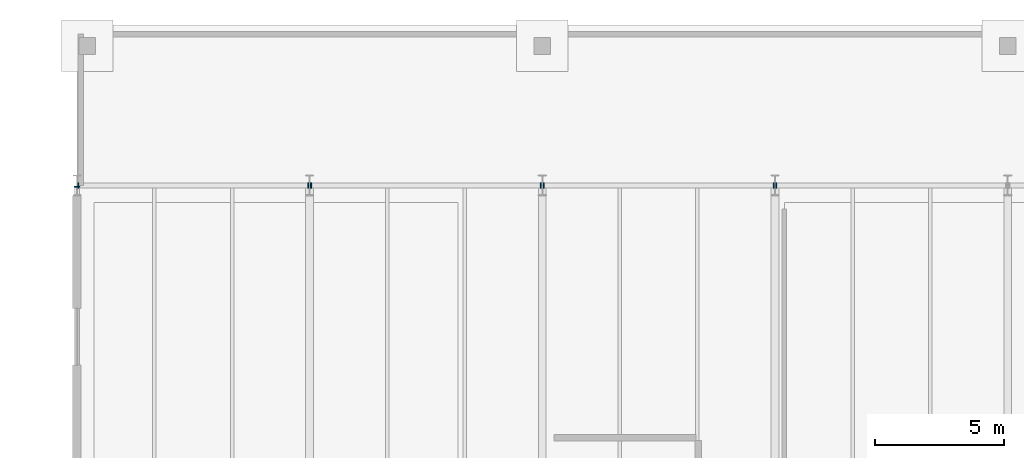
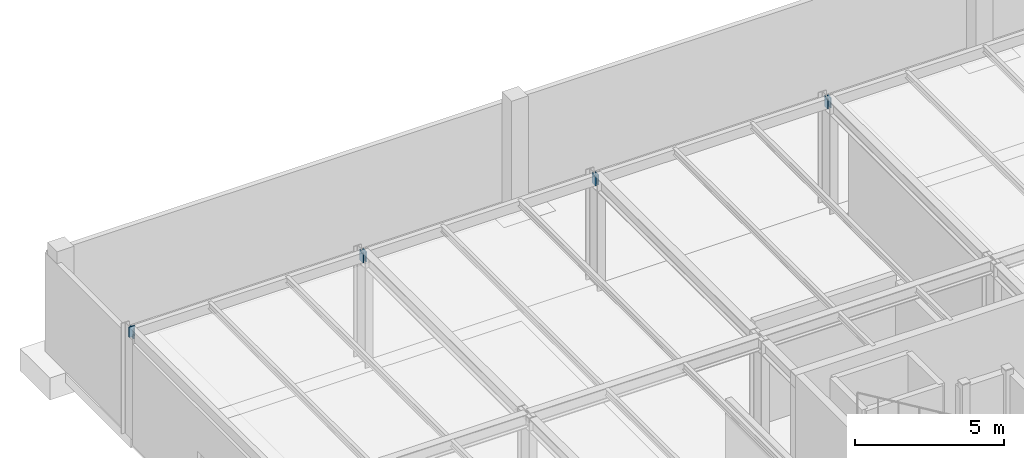
# One storey, part 144 of 160: 8 discrete accessories.
"""IFC4 building model written with IfcOpenShell, lengths in metres."""

from ifc_helpers import new_model, si_unit, direction, frame, origin, origin_2d, place, context, subcontext, project, spatial, rectangle, extrude, material, element, save


model = new_model("IFC4")

# Units and contexts
model_context = context("Model", 3, precision=1e-05, world=origin(), true_north=direction((0.0, 1.0)))
body_context = subcontext(model_context, "Body", "Model", "MODEL_VIEW")
ifc_project = project(units=[si_unit("LENGTHUNIT", "METRE"), si_unit("AREAUNIT", "SQUARE_METRE"), si_unit("VOLUMEUNIT", "CUBIC_METRE"), si_unit("PLANEANGLEUNIT", "RADIAN"), si_unit("MASSUNIT", "GRAM", prefix="KILO")], contexts=[model_context])

# Site, building, storey
site_placement = place(None, origin())
site = spatial("IfcSite", under=ifc_project, at=site_placement, CompositionType="ELEMENT")
building_placement = place(site_placement, origin())
building = spatial("IfcBuilding", under=site, at=building_placement, Name="Marlcrest Central Station", CompositionType="ELEMENT")
storey_placement = place(building_placement, origin())
storey = spatial("IfcBuildingStorey", under=building, at=storey_placement, Name="L00", CompositionType="ELEMENT", Elevation=0.0)

# Discrete accessories
ifc_material = material(Name="Steel S355", Category="steel")
for number, where, z_axis, x_axis, name in (
    (1, (0.03515625, 132.0, 4.320068359375), (1.0, 0.0, 0.0), (0.0, 1.0, 0.0), "endcap-bm-SP-01-L00-00132-s"),
    (2, (8.925048828125, 132.0, 4.320068359375), (1.0, 0.0, 0.0), (0.0, 1.0, 0.0), "endcap-bm-SP-01-L00-00132-e"),
    (3, (9.03515625, 132.0, 4.320068359375), (1.0, 0.0, 0.0), (0.0, 1.0, 0.0), "endcap-bm-SP-01-L00-00133-s"),
    (4, (17.925048828125, 132.0, 4.320068359375), (1.0, 0.0, 0.0), (0.0, 1.0, 0.0), "endcap-bm-SP-01-L00-00133-e"),
    (5, (18.03515625, 132.0, 4.320068359375), (1.0, 0.0, 0.0), (0.0, 1.0, 0.0), "endcap-bm-SP-01-L00-00134-s"),
    (6, (26.925048828125, 132.0, 4.320068359375), (1.0, 0.0, 0.0), (0.0, 1.0, 0.0), "endcap-bm-SP-01-L00-00134-e"),
    (7, (27.03515625, 132.0, 4.320068359375), (1.0, 0.0, 0.0), (0.0, 1.0, 0.0), "endcap-bm-SP-01-L00-00135-s"),
    (8, (0.0, 131.925048828125, 4.409912109375), (0.0, 1.0, 0.0), (-1.0, 0.0, 0.0), "endcap-bm-SP-01-L00-00142-e"),
):
    element("IfcDiscreteAccessory", number, at=place(storey_placement, frame(where, z_axis=z_axis, x_axis=x_axis)), inside=storey, material=ifc_material, Name=name, ObjectType="END_CAP_PLATE", PredefinedType="BRACKET", context=body_context, shape_type="SweptSolid", body=[
        extrude(rectangle(XDim=0.216064453125, YDim=0.416015625, at=origin_2d()), origin(), (0.0, 0.0, 1.0), 0.0400390625),
    ])

save(model, "model.ifc")
